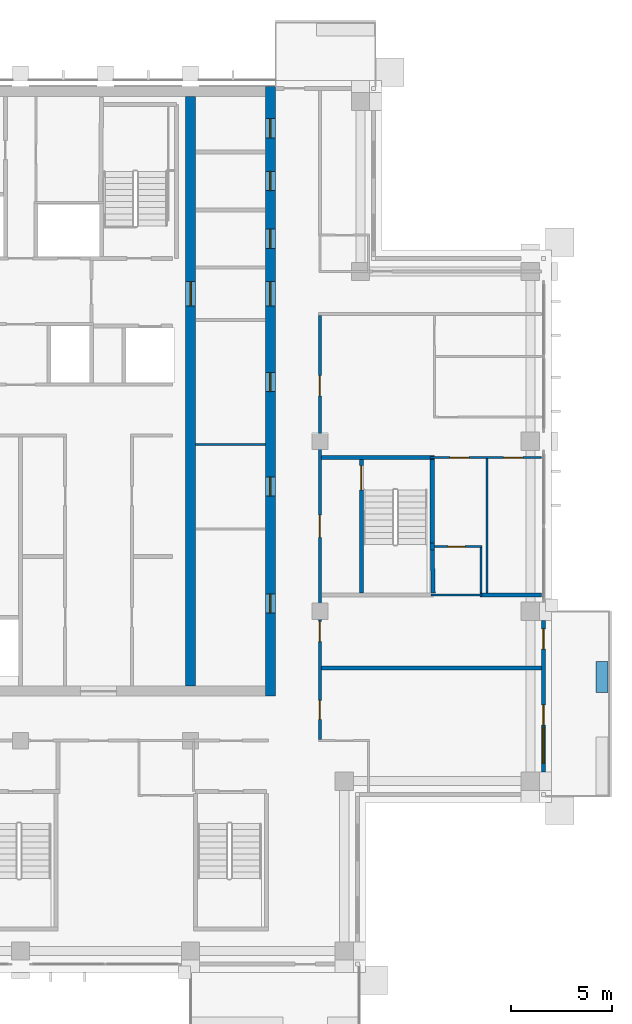
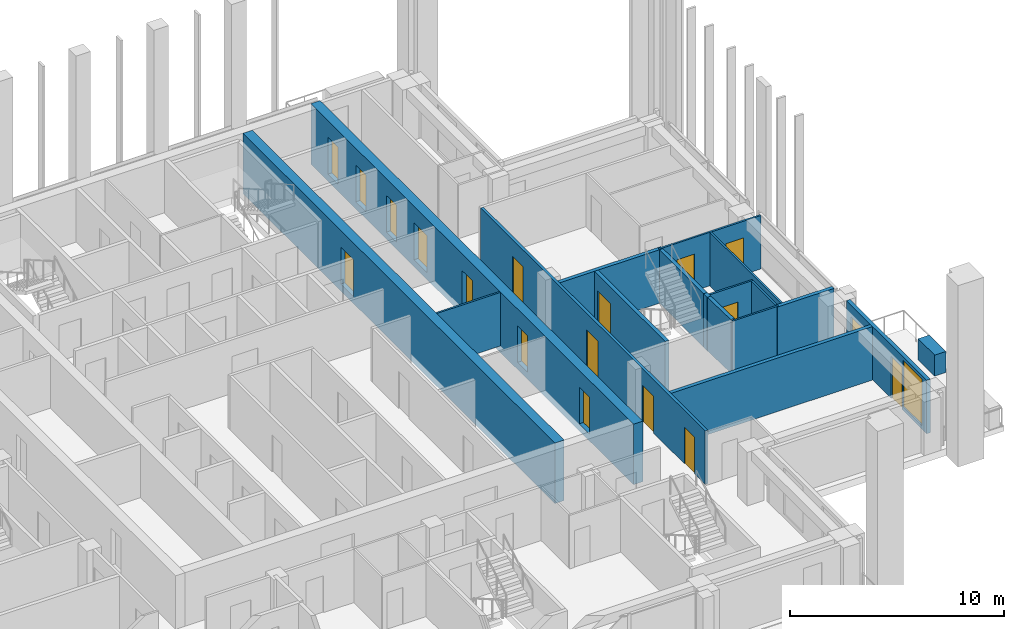
# One storey, part 12 of 20: 18 doors, 18 walls, 1 window, 19 openings.
"""IFC4 building model written with IfcOpenShell, lengths in metres."""

import ifcopenshell
import ifcopenshell.guid

model = None  # the IFC model being written
_history = None  # IfcOwnerHistory: only IFC2X3 demands one
_inside = {}  # id of a spatial element -> (the spatial element, [elements in it])
_under = {}  # id of a project, library or spatial element -> (it, [spatial elements below it])
_declared = {}  # id of a project -> (the project, [libraries it declares])
_typed = {}  # id of a type object -> (the type object, [elements of that type])
_made_of = {}  # id of a material, layer set ... -> (it, [elements and type objects made of it])


def new_model(schema):
    """Start an empty IFC model of exactly this schema.

    Asked for "IFC4X3", IfcOpenShell would pick the latest addendum, in which some entities
    have other attributes; the version numbers below select the first issue.
    IFC2X3 requires an IfcOwnerHistory on every rooted entity: one is made here for all.
    """
    global model, _history
    if schema == "IFC4X3":
        model = ifcopenshell.file(schema_version=(4, 3, 0, 0))
    else:
        model = ifcopenshell.file(schema=schema)
    _inside.clear()
    _under.clear()
    _declared.clear()
    _typed.clear()
    _made_of.clear()
    _history = None
    if model.schema == "IFC2X3":
        org = make("IfcOrganization", Name="unknown")
        user = make(
            "IfcPersonAndOrganization",
            ThePerson=make("IfcPerson", FamilyName="unknown"),
            TheOrganization=org,
        )
        app = make(
            "IfcApplication",
            ApplicationDeveloper=org,
            Version="unknown",
            ApplicationFullName="unknown",
            ApplicationIdentifier="unknown",
        )
        _history = make(
            "IfcOwnerHistory",
            OwningUser=user,
            OwningApplication=app,
            ChangeAction="ADDED",
            CreationDate=0,
        )
    return model


def make(cls, **values):
    """One entity of the class cls with the attributes given. An attribute that is None is left unset."""
    return model.create_entity(
        cls, **{name: value for name, value in values.items() if value is not None}
    )


def rooted(cls, **values):
    """An entity with a GlobalId (a new one), such as an element, a storey or a relation."""
    return make(cls, GlobalId=ifcopenshell.guid.new(), OwnerHistory=_history, **values)


def si_unit(unit_type, name, prefix=None):
    """IfcSIUnit, for example si_unit("LENGTHUNIT", "METRE", prefix="MILLI")."""
    return make("IfcSIUnit", UnitType=unit_type, Prefix=prefix, Name=name)


def assignment(units):
    """IfcUnitAssignment: the units of a project."""
    return None if units is None else make("IfcUnitAssignment", Units=units)


def point(xyz):
    """IfcCartesianPoint."""
    return None if xyz is None else make("IfcCartesianPoint", Coordinates=xyz)


def direction(xyz):
    """IfcDirection."""
    return None if xyz is None else make("IfcDirection", DirectionRatios=xyz)


def frame(location, z_axis=None, x_axis=None):
    """IfcAxis2Placement3D, a coordinate frame: its origin and axes. An axis left out is left unset."""
    return make(
        "IfcAxis2Placement3D",
        Location=point(location),
        Axis=direction(z_axis),
        RefDirection=direction(x_axis),
    )


def frame_2d(location, x_axis=None):
    """IfcAxis2Placement2D, a coordinate frame in the plane: its origin and x axis."""
    return make(
        "IfcAxis2Placement2D", Location=point(location), RefDirection=direction(x_axis)
    )


def origin():
    """The frame at (0, 0, 0) with its axes left unset."""
    return frame((0.0, 0.0, 0.0))


def place(relative_to, where):
    """IfcLocalPlacement: puts the frame where relative to a parent placement (None: the world)."""
    return make(
        "IfcLocalPlacement", PlacementRelTo=relative_to, RelativePlacement=where
    )


def context(
    kind, dimensions, precision=None, world=None, true_north=None, identifier=None
):
    """IfcGeometricRepresentationContext, for example the 3D "Model" context."""
    return make(
        "IfcGeometricRepresentationContext",
        ContextIdentifier=identifier,
        ContextType=kind,
        CoordinateSpaceDimension=dimensions,
        Precision=precision,
        WorldCoordinateSystem=world,
        TrueNorth=true_north,
    )


def subcontext(parent, identifier, kind, view, scale=None):
    """IfcGeometricRepresentationSubContext, for example "Body" below "Model"."""
    return make(
        "IfcGeometricRepresentationSubContext",
        ContextIdentifier=identifier,
        ContextType=kind,
        ParentContext=parent,
        TargetScale=scale,
        TargetView=view,
    )


def project(units=None, contexts=None):
    """IfcProject with its units and contexts."""
    return rooted(
        "IfcProject",
        Name="project",
        RepresentationContexts=contexts,
        UnitsInContext=assignment(units),
    )


def spatial(cls, under=None, at=None, **own):
    """A site, building, storey or space (cls), placed at a placement, below another one or the project."""
    s = rooted(cls, ObjectPlacement=at, **own)
    if under is not None:
        _under.setdefault(under.id(), (under, []))[1].append(s)
    return s


def profile(cls, at=None, kind="AREA", **sizes):
    """A parametric profile (cls). Its sizes go by their IFC names, for example OverallWidth=200.0."""
    return make(cls, ProfileType=kind, Position=at, **sizes)


def rectangle(**sizes):
    """IfcRectangleProfileDef."""
    return profile("IfcRectangleProfileDef", **sizes)


def extrude(swept, where, along, depth):
    """IfcExtrudedAreaSolid: the profile swept, set in the frame where, extruded along a direction by depth."""
    return make(
        "IfcExtrudedAreaSolid",
        SweptArea=swept,
        Position=where,
        ExtrudedDirection=direction(along),
        Depth=depth,
    )


def shape(context_of_items, identifier, shape_type, items):
    """IfcShapeRepresentation: the items that make up one representation, for example the "Body"."""
    return make(
        "IfcShapeRepresentation",
        ContextOfItems=context_of_items,
        RepresentationIdentifier=identifier,
        RepresentationType=shape_type,
        Items=items,
    )


def material(Name=None, Category=None):
    """IfcMaterial."""
    return make("IfcMaterial", Name=Name, Category=Category)


def layer(
    of_material, thickness, ventilated=None, Name=None, Category=None, Priority=None
):
    """IfcMaterialLayer: one layer of a wall or slab, of a material (None: an air gap)."""
    return make(
        "IfcMaterialLayer",
        Material=of_material,
        LayerThickness=thickness,
        IsVentilated=ventilated,
        Name=Name,
        Category=Category,
        Priority=Priority,
    )


def layer_set(layers, Name=None):
    """IfcMaterialLayerSet."""
    return make("IfcMaterialLayerSet", MaterialLayers=layers, LayerSetName=Name)


def made_of(thing, what):
    """Note that an element or type object is made of a material, layer set ...; save() writes the relation."""
    if what is not None:
        _made_of.setdefault(what.id(), (what, []))[1].append(thing)
    return thing


def type_object(cls, material=None, **own):
    """A type object (cls), such as IfcWallType, which elements share."""
    return made_of(rooted(cls, **own), material)


def element(
    cls,
    number,
    at=None,
    inside=None,
    cuts=None,
    type_object=None,
    material=None,
    context=None,
    identifier="Body",
    shape_type=None,
    held_by="IfcProductDefinitionShape",
    body=None,
    shapes=None,
    **own,
):
    """One element of the class cls, such as IfcWall. Its Tag is "e" and its number.

    at: its placement. inside: the storey or other place that contains it. cuts: it is an
    opening in that element (IfcRelVoidsElement). A single representation is given by context,
    identifier, shape_type and body (its items); several are given by shapes. held_by: the class
    of the entity that holds the representations. save() writes the other relations.
    """
    e = rooted(cls, Tag="e%d" % number, ObjectPlacement=at, **own)
    if body is not None:
        shapes = [shape(context, identifier, shape_type, body)]
    if shapes is not None:
        e.Representation = make(held_by, Representations=shapes)
    if inside is not None:
        _inside.setdefault(inside.id(), (inside, []))[1].append(e)
    if cuts is not None:
        rooted(
            "IfcRelVoidsElement", RelatingBuildingElement=cuts, RelatedOpeningElement=e
        )
    if type_object is not None:
        _typed.setdefault(type_object.id(), (type_object, []))[1].append(e)
    return made_of(e, material)


def fill(opening, filler):
    """IfcRelFillsElement: the door or window that sits in an opening."""
    return rooted(
        "IfcRelFillsElement",
        RelatingOpeningElement=opening,
        RelatedBuildingElement=filler,
    )


def aggregate(whole, parts):
    """IfcRelAggregates: a whole, such as a stair, and the parts it consists of."""
    return rooted("IfcRelAggregates", RelatingObject=whole, RelatedObjects=parts)


def save(model, path):
    """Write the relations noted so far, then the file.

    IfcRelAggregates (storeys below a building ...), IfcRelContainedInSpatialStructure (elements
    in a storey), IfcRelDefinesByType, IfcRelAssociatesMaterial and IfcRelDeclares: one each for
    every whole, place, type object, material and project.
    """
    for whole, parts in _under.values():
        aggregate(whole, parts)
    for where, things in _inside.values():
        rooted(
            "IfcRelContainedInSpatialStructure",
            RelatedElements=things,
            RelatingStructure=where,
        )
    for kind, things in _typed.values():
        rooted("IfcRelDefinesByType", RelatedObjects=things, RelatingType=kind)
    for what, things in _made_of.values():
        rooted("IfcRelAssociatesMaterial", RelatedObjects=things, RelatingMaterial=what)
    for by, libraries in _declared.values():
        rooted("IfcRelDeclares", RelatingContext=by, RelatedDefinitions=libraries)
    model.write(path)


model = new_model("IFC4")

# Units and contexts
model_context = context("Model", 3, precision=1e-05, world=origin(), true_north=direction((0.0, 1.0)))
body_context = subcontext(model_context, "Body", "Model", "MODEL_VIEW")
ifc_project = project(units=[si_unit("LENGTHUNIT", "METRE"), si_unit("AREAUNIT", "SQUARE_METRE"), si_unit("VOLUMEUNIT", "CUBIC_METRE"), si_unit("PLANEANGLEUNIT", "RADIAN"), si_unit("MASSUNIT", "GRAM", prefix="KILO")], contexts=[model_context])

# Site, building, storey
site_placement = place(None, origin())
site = spatial("IfcSite", under=ifc_project, at=site_placement, CompositionType="ELEMENT")
building_placement = place(site_placement, origin())
building = spatial("IfcBuilding", under=site, at=building_placement, Name="Vermilion Ogive Tower", CompositionType="ELEMENT")
storey_placement = place(building_placement, frame((0.0, 0.0, 223.449951171875)))
storey = spatial("IfcBuildingStorey", under=building, at=storey_placement, Name="L58", CompositionType="ELEMENT", Elevation=223.449951171875)

# Wall, openings, doors
ifc_material_1 = material(Name="Concrete B60", Category="concrete")
ifc_layer_1 = layer(ifc_material_1, 0.5)
ifc_layer_set_1 = layer_set([ifc_layer_1], Name="Core wall 500 B60")
wall_type_1 = type_object("IfcWallType", Name="Core wall 500 B60", PredefinedType="SHEAR", material=ifc_layer_set_1)
wall_1_placement = place(storey_placement, frame((12.35009765625, -8.39990234375, -0.39990234375), z_axis=(0.0, 0.0, 1.0), x_axis=(0.0, 1.0, 0.0)))
wall_1 = element("IfcWall", 1, at=wall_1_placement, inside=storey, type_object=wall_type_1, Name="L58-CORE-E", PredefinedType="SHEAR", context=body_context, shape_type="SweptSolid", body=[
    extrude(rectangle(XDim=30.14990234375, YDim=0.5, at=frame_2d((15.074951171875, 0.0))), origin(), (0.0, 0.0, 1.0), 3.449951171875),
])
opening_1_placement = place(wall_1_placement, frame((4.112548828125, 0.0, 0.39990234375)))
opening_1 = element("IfcOpeningElement", 2, at=opening_1_placement, cuts=wall_1, Name="Opening DAC100", PredefinedType="OPENING", context=body_context, shape_type="SweptSolid", body=[
    extrude(rectangle(XDim=0.949951171875, YDim=2.10009765625, at=frame_2d((0.47509765625, 1.050048828125))), frame((0.0, 0.260009765625, 0.0), z_axis=(0.0, -1.0, 0.0), x_axis=(1.0, 0.0, 0.0)), (0.0, 0.0, 1.0), 0.52001953125),
])
opening_2_placement = place(wall_1_placement, frame((9.8896484375, 0.0, 0.39990234375)))
opening_2 = element("IfcOpeningElement", 3, at=opening_2_placement, cuts=wall_1, Name="Opening DAC101", PredefinedType="OPENING", context=body_context, shape_type="SweptSolid", body=[
    extrude(rectangle(XDim=0.949951171875, YDim=2.10009765625, at=frame_2d((0.47509765625, 1.050048828125))), frame((0.0, 0.260009765625, 0.0), z_axis=(0.0, -1.0, 0.0), x_axis=(1.0, 0.0, 0.0)), (0.0, 0.0, 1.0), 0.52001953125),
])
opening_3_placement = place(wall_1_placement, frame((15.052001953125, 0.0, 0.39990234375)))
opening_3 = element("IfcOpeningElement", 4, at=opening_3_placement, cuts=wall_1, Name="Opening DAC102", PredefinedType="OPENING", context=body_context, shape_type="SweptSolid", body=[
    extrude(rectangle(XDim=0.949951171875, YDim=2.10009765625, at=frame_2d((0.47509765625, 1.050048828125))), frame((0.0, 0.260009765625, 0.0), z_axis=(0.0, -1.0, 0.0), x_axis=(1.0, 0.0, 0.0)), (0.0, 0.0, 1.0), 0.52001953125),
])
opening_4_placement = place(wall_1_placement, frame((22.1435546875, 0.0, 0.39990234375)))
opening_4 = element("IfcOpeningElement", 5, at=opening_4_placement, cuts=wall_1, Name="Opening DAC103", PredefinedType="OPENING", context=body_context, shape_type="SweptSolid", body=[
    extrude(rectangle(XDim=0.949951171875, YDim=2.10009765625, at=frame_2d((0.47509765625, 1.050048828125))), frame((0.0, 0.260009765625, 0.0), z_axis=(0.0, -1.0, 0.0), x_axis=(1.0, 0.0, 0.0)), (0.0, 0.0, 1.0), 0.52001953125),
])
opening_5_placement = place(wall_1_placement, frame((24.998291015625, 0.0, 0.39990234375)))
opening_5 = element("IfcOpeningElement", 6, at=opening_5_placement, cuts=wall_1, Name="Opening DAC104", PredefinedType="OPENING", context=body_context, shape_type="SweptSolid", body=[
    extrude(rectangle(XDim=0.949951171875, YDim=2.10009765625, at=frame_2d((0.47509765625, 1.050048828125))), frame((0.0, 0.260009765625, 0.0), z_axis=(0.0, -1.0, 0.0), x_axis=(1.0, 0.0, 0.0)), (0.0, 0.0, 1.0), 0.52001953125),
])
opening_6_placement = place(wall_1_placement, frame((27.604736328125, 0.0, 0.39990234375)))
opening_6 = element("IfcOpeningElement", 7, at=opening_6_placement, cuts=wall_1, Name="Opening DAC105", PredefinedType="OPENING", context=body_context, shape_type="SweptSolid", body=[
    extrude(rectangle(XDim=0.949951171875, YDim=2.10009765625, at=frame_2d((0.47509765625, 1.050048828125))), frame((0.0, 0.260009765625, 0.0), z_axis=(0.0, -1.0, 0.0), x_axis=(1.0, 0.0, 0.0)), (0.0, 0.0, 1.0), 0.52001953125),
])
opening_7_placement = place(wall_1_placement, frame((19.300048828125, 0.0, 0.39990234375)))
opening_7 = element("IfcOpeningElement", 8, at=opening_7_placement, cuts=wall_1, Name="Opening DAL024", PredefinedType="OPENING", context=body_context, shape_type="SweptSolid", body=[
    extrude(rectangle(XDim=1.199951171875, YDim=2.10009765625, at=frame_2d((0.60009765625, 1.050048828125))), frame((0.0, 0.260009765625, 0.0), z_axis=(0.0, -1.0, 0.0), x_axis=(1.0, 0.0, 0.0)), (0.0, 0.0, 1.0), 0.52001953125),
])
ifc_material_2 = material(Name="Timber door leaf", Category="wood")
door_type_1 = type_object("IfcDoorType", Name="Link door 1200 x 2100 FD60S", OperationType="SINGLE_SWING_LEFT", PredefinedType="DOOR", material=ifc_material_2)
door_1_placement = place(opening_7_placement, origin())
door_1 = element("IfcDoor", 9, at=door_1_placement, inside=storey, type_object=door_type_1, Name="L58-CKE-XL", OperationType="SINGLE_SWING_LEFT", OverallHeight=2.10009765625, OverallWidth=1.199951171875, PredefinedType="DOOR", context=body_context, shape_type="SweptSolid", body=[
    extrude(rectangle(XDim=1.199951171875, YDim=2.10009765625, at=frame_2d((0.60009765625, 1.050048828125))), frame((0.0, 0.02490234375, 0.0), z_axis=(0.0, -1.0, 0.0), x_axis=(1.0, 0.0, 0.0)), (0.0, 0.0, 1.0), 0.050048828125),
])
fill(opening_7, door_1)
ifc_material_3 = material(Name="Timber door leaf", Category="wood")
door_type_2 = type_object("IfcDoorType", Name="Service door 950 x 2100 FD60", OperationType="SINGLE_SWING_LEFT", PredefinedType="DOOR", material=ifc_material_3)
door_2_placement = place(opening_1_placement, origin())
door_2 = element("IfcDoor", 10, at=door_2_placement, inside=storey, type_object=door_type_2, Name="L58-CKE-XR0", OperationType="SINGLE_SWING_LEFT", OverallHeight=2.10009765625, OverallWidth=0.949951171875, PredefinedType="DOOR", context=body_context, shape_type="SweptSolid", body=[
    extrude(rectangle(XDim=0.949951171875, YDim=2.10009765625, at=frame_2d((0.47509765625, 1.050048828125))), frame((0.0, 0.02490234375, 0.0), z_axis=(0.0, -1.0, 0.0), x_axis=(1.0, 0.0, 0.0)), (0.0, 0.0, 1.0), 0.050048828125),
])
fill(opening_1, door_2)
door_3_placement = place(opening_2_placement, origin())
door_3 = element("IfcDoor", 11, at=door_3_placement, inside=storey, type_object=door_type_2, Name="L58-CKE-XR1", OperationType="SINGLE_SWING_LEFT", OverallHeight=2.10009765625, OverallWidth=0.949951171875, PredefinedType="DOOR", context=body_context, shape_type="SweptSolid", body=[
    extrude(rectangle(XDim=0.949951171875, YDim=2.10009765625, at=frame_2d((0.47509765625, 1.050048828125))), frame((0.0, 0.02490234375, 0.0), z_axis=(0.0, -1.0, 0.0), x_axis=(1.0, 0.0, 0.0)), (0.0, 0.0, 1.0), 0.050048828125),
])
fill(opening_2, door_3)
door_4_placement = place(opening_3_placement, origin())
door_4 = element("IfcDoor", 12, at=door_4_placement, inside=storey, type_object=door_type_2, Name="L58-CKE-XR2", OperationType="SINGLE_SWING_LEFT", OverallHeight=2.10009765625, OverallWidth=0.949951171875, PredefinedType="DOOR", context=body_context, shape_type="SweptSolid", body=[
    extrude(rectangle(XDim=0.949951171875, YDim=2.10009765625, at=frame_2d((0.47509765625, 1.050048828125))), frame((0.0, 0.02490234375, 0.0), z_axis=(0.0, -1.0, 0.0), x_axis=(1.0, 0.0, 0.0)), (0.0, 0.0, 1.0), 0.050048828125),
])
fill(opening_3, door_4)
door_5_placement = place(opening_4_placement, origin())
door_5 = element("IfcDoor", 13, at=door_5_placement, inside=storey, type_object=door_type_2, Name="L58-CKE-XR3", OperationType="SINGLE_SWING_LEFT", OverallHeight=2.10009765625, OverallWidth=0.949951171875, PredefinedType="DOOR", context=body_context, shape_type="SweptSolid", body=[
    extrude(rectangle(XDim=0.949951171875, YDim=2.10009765625, at=frame_2d((0.47509765625, 1.050048828125))), frame((0.0, 0.02490234375, 0.0), z_axis=(0.0, -1.0, 0.0), x_axis=(1.0, 0.0, 0.0)), (0.0, 0.0, 1.0), 0.050048828125),
])
fill(opening_4, door_5)
door_6_placement = place(opening_5_placement, origin())
door_6 = element("IfcDoor", 14, at=door_6_placement, inside=storey, type_object=door_type_2, Name="L58-CKE-XR4", OperationType="SINGLE_SWING_LEFT", OverallHeight=2.10009765625, OverallWidth=0.949951171875, PredefinedType="DOOR", context=body_context, shape_type="SweptSolid", body=[
    extrude(rectangle(XDim=0.949951171875, YDim=2.10009765625, at=frame_2d((0.47509765625, 1.050048828125))), frame((0.0, 0.02490234375, 0.0), z_axis=(0.0, -1.0, 0.0), x_axis=(1.0, 0.0, 0.0)), (0.0, 0.0, 1.0), 0.050048828125),
])
fill(opening_5, door_6)
door_7_placement = place(opening_6_placement, origin())
door_7 = element("IfcDoor", 15, at=door_7_placement, inside=storey, type_object=door_type_2, Name="L58-CKE-XR5", OperationType="SINGLE_SWING_LEFT", OverallHeight=2.10009765625, OverallWidth=0.949951171875, PredefinedType="DOOR", context=body_context, shape_type="SweptSolid", body=[
    extrude(rectangle(XDim=0.949951171875, YDim=2.10009765625, at=frame_2d((0.47509765625, 1.050048828125))), frame((0.0, 0.02490234375, 0.0), z_axis=(0.0, -1.0, 0.0), x_axis=(1.0, 0.0, 0.0)), (0.0, 0.0, 1.0), 0.050048828125),
])
fill(opening_6, door_7)

# Wall, opening, door
wall_2_placement = place(storey_placement, frame((8.39990234375, -7.89990234375, -0.39990234375), z_axis=(0.0, 0.0, 1.0), x_axis=(0.0, 1.0, 0.0)))
wall_2 = element("IfcWall", 16, at=wall_2_placement, inside=storey, type_object=wall_type_1, Name="L58-CORE-WEB2", PredefinedType="SHEAR", context=body_context, shape_type="SweptSolid", body=[
    extrude(rectangle(XDim=29.14990234375, YDim=0.5, at=frame_2d((14.574951171875, 0.0))), origin(), (0.0, 0.0, 1.0), 3.449951171875),
])
opening_8_placement = place(wall_2_placement, frame((18.800048828125, 0.0, 0.39990234375)))
opening_8 = element("IfcOpeningElement", 17, at=opening_8_placement, cuts=wall_2, Name="Opening DAO019", PredefinedType="OPENING", context=body_context, shape_type="SweptSolid", body=[
    extrude(rectangle(XDim=1.199951171875, YDim=2.10009765625, at=frame_2d((0.60009765625, 1.050048828125))), frame((0.0, 0.260009765625, 0.0), z_axis=(0.0, -1.0, 0.0), x_axis=(1.0, 0.0, 0.0)), (0.0, 0.0, 1.0), 0.52001953125),
])
door_8_placement = place(opening_8_placement, origin())
door_8 = element("IfcDoor", 18, at=door_8_placement, inside=storey, type_object=door_type_1, Name="L58-CKE-XW", OperationType="SINGLE_SWING_LEFT", OverallHeight=2.10009765625, OverallWidth=1.199951171875, PredefinedType="DOOR", context=body_context, shape_type="SweptSolid", body=[
    extrude(rectangle(XDim=1.199951171875, YDim=2.10009765625, at=frame_2d((0.60009765625, 1.050048828125))), frame((0.0, 0.02490234375, 0.0), z_axis=(0.0, -1.0, 0.0), x_axis=(1.0, 0.0, 0.0)), (0.0, 0.0, 1.0), 0.050048828125),
])
fill(opening_8, door_8)

# Wall
ifc_material_4 = material(Name="Gypsum board partition on steel studs", Category="steel")
ifc_layer_2 = layer(ifc_material_4, 0.10009765625)
ifc_layer_set_2 = layer_set([ifc_layer_2], Name="Partition 100 bath")
wall_type_2 = type_object("IfcWallType", Name="Partition 100 bath", PredefinedType="PARTITIONING", material=ifc_layer_set_2)
wall_3_placement = place(storey_placement, frame((20.300048828125, -3.39990234375, 0.0), z_axis=(0.0, 0.0, 1.0), x_axis=(1.0, 0.0, 0.0)))
element("IfcWall", 19, at=wall_3_placement, inside=storey, type_object=wall_type_2, Name="L58-W-W019", PredefinedType="PARTITIONING", context=body_context, shape_type="SweptSolid", body=[
    extrude(rectangle(XDim=2.5, YDim=0.10009765625, at=frame_2d((1.25, 0.0))), origin(), (0.0, 0.0, 1.0), 3.050048828125),
])

# Wall, opening, door
wall_4_placement = place(storey_placement, frame((20.449951171875, -1.0, 0.0), z_axis=(0.0, 0.0, 1.0), x_axis=(1.0, 0.0, 0.0)))
wall_4 = element("IfcWall", 20, at=wall_4_placement, inside=storey, type_object=wall_type_2, Name="L58-W-W021", PredefinedType="PARTITIONING", context=body_context, shape_type="SweptSolid", body=[
    extrude(rectangle(XDim=2.35009765625, YDim=0.10009765625, at=frame_2d((1.175048828125, 0.0))), origin(), (0.0, 0.0, 1.0), 3.050048828125),
])
opening_9_placement = place(wall_4_placement, frame((0.675048828125, 0.0, 0.0)))
opening_9 = element("IfcOpeningElement", 21, at=opening_9_placement, cuts=wall_4, Name="Opening D5G1020", PredefinedType="OPENING", context=body_context, shape_type="SweptSolid", body=[
    extrude(rectangle(XDim=0.85009765625, YDim=2.10009765625, at=frame_2d((0.425048828125, 1.050048828125))), frame((0.0, 0.06005859375, 0.0), z_axis=(0.0, -1.0, 0.0), x_axis=(1.0, 0.0, 0.0)), (0.0, 0.0, 1.0), 0.1201171875),
])
ifc_material_5 = material(Name="Timber door leaf", Category="wood")
door_type_3 = type_object("IfcDoorType", Name="Bath door 850 x 2100 FD30", OperationType="SINGLE_SWING_LEFT", PredefinedType="DOOR", material=ifc_material_5)
door_9_placement = place(opening_9_placement, origin())
door_9 = element("IfcDoor", 22, at=door_9_placement, inside=storey, type_object=door_type_3, Name="L58-D-D020", OperationType="SINGLE_SWING_RIGHT", OverallHeight=2.10009765625, OverallWidth=0.85009765625, PredefinedType="DOOR", context=body_context, shape_type="SweptSolid", body=[
    extrude(rectangle(XDim=0.85009765625, YDim=2.10009765625, at=frame_2d((0.425048828125, 1.050048828125))), frame((0.0, 0.02490234375, 0.0), z_axis=(0.0, -1.0, 0.0), x_axis=(1.0, 0.0, 0.0)), (0.0, 0.0, 1.0), 0.050048828125),
])
fill(opening_9, door_9)

# Walls
wall_5_placement = place(storey_placement, frame((22.75, -3.300048828125, 0.0), z_axis=(0.0, 0.0, 1.0), x_axis=(0.0, 1.0, 0.0)))
element("IfcWall", 23, at=wall_5_placement, inside=storey, type_object=wall_type_2, Name="L58-W-W066", PredefinedType="PARTITIONING", context=body_context, shape_type="SweptSolid", body=[
    extrude(rectangle(XDim=2.25, YDim=0.10009765625, at=frame_2d((1.125, 0.0))), origin(), (0.0, 0.0, 1.0), 3.050048828125),
])
wall_6_placement = place(storey_placement, frame((8.65087890625, 4.053955078125, 0.0), z_axis=(0.0, 0.0, 1.0), x_axis=(1.0, 0.0, 0.0)))
element("IfcWall", 24, at=wall_6_placement, inside=storey, type_object=wall_type_2, Name="L58-CKE-W-W002", PredefinedType="PARTITIONING", context=body_context, shape_type="SweptSolid", body=[
    extrude(rectangle(XDim=3.4482421875, YDim=0.10009765625, at=frame_2d((1.72412109375, 0.0))), origin(), (0.0, 0.0, 1.0), 3.050048828125),
])

# Wall, openings, doors
ifc_material_6 = material(Name="Gypsum board partition on steel studs", Category="steel")
ifc_layer_3 = layer(ifc_material_6, 0.10009765625)
ifc_layer_set_3 = layer_set([ifc_layer_3], Name="Partition 100 inner")
wall_type_3 = type_object("IfcWallType", Name="Partition 100 inner", PredefinedType="PARTITIONING", material=ifc_layer_set_3)
wall_7_placement = place(storey_placement, frame((20.25, 3.39990234375, 0.0), z_axis=(0.0, 0.0, 1.0), x_axis=(1.0, 0.0, 0.0)))
wall_7 = element("IfcWall", 25, at=wall_7_placement, inside=storey, type_object=wall_type_3, Name="L58-W-W026", PredefinedType="PARTITIONING", context=body_context, shape_type="SweptSolid", body=[
    extrude(rectangle(XDim=5.5, YDim=0.10009765625, at=frame_2d((2.75, 0.0))), origin(), (0.0, 0.0, 1.0), 3.050048828125),
])
opening_10_placement = place(wall_7_placement, frame((3.625, 0.0, 0.0)))
opening_10 = element("IfcOpeningElement", 26, at=opening_10_placement, cuts=wall_7, Name="Opening D5G1015", PredefinedType="OPENING", context=body_context, shape_type="SweptSolid", body=[
    extrude(rectangle(XDim=0.949951171875, YDim=2.10009765625, at=frame_2d((0.47509765625, 1.050048828125))), frame((0.0, 0.06005859375, 0.0), z_axis=(0.0, -1.0, 0.0), x_axis=(1.0, 0.0, 0.0)), (0.0, 0.0, 1.0), 0.1201171875),
])
opening_11_placement = place(wall_7_placement, frame((0.97509765625, 0.0, 0.0)))
opening_11 = element("IfcOpeningElement", 27, at=opening_11_placement, cuts=wall_7, Name="Opening D5G1019", PredefinedType="OPENING", context=body_context, shape_type="SweptSolid", body=[
    extrude(rectangle(XDim=0.949951171875, YDim=2.10009765625, at=frame_2d((0.47509765625, 1.050048828125))), frame((0.0, 0.06005859375, 0.0), z_axis=(0.0, -1.0, 0.0), x_axis=(1.0, 0.0, 0.0)), (0.0, 0.0, 1.0), 0.1201171875),
])
ifc_material_7 = material(Name="Timber door leaf", Category="wood")
door_type_4 = type_object("IfcDoorType", Name="Inner door 950 x 2100 FD30", OperationType="SINGLE_SWING_LEFT", PredefinedType="DOOR", material=ifc_material_7)
door_10_placement = place(opening_10_placement, origin())
door_10 = element("IfcDoor", 28, at=door_10_placement, inside=storey, type_object=door_type_4, Name="L58-D-D015", OperationType="SINGLE_SWING_LEFT", OverallHeight=2.10009765625, OverallWidth=0.949951171875, PredefinedType="DOOR", context=body_context, shape_type="SweptSolid", body=[
    extrude(rectangle(XDim=0.949951171875, YDim=2.10009765625, at=frame_2d((0.47509765625, 1.050048828125))), frame((0.0, 0.02490234375, 0.0), z_axis=(0.0, -1.0, 0.0), x_axis=(1.0, 0.0, 0.0)), (0.0, 0.0, 1.0), 0.050048828125),
])
fill(opening_10, door_10)
door_11_placement = place(opening_11_placement, origin())
door_11 = element("IfcDoor", 29, at=door_11_placement, inside=storey, type_object=door_type_4, Name="L58-D-D019", OperationType="SINGLE_SWING_RIGHT", OverallHeight=2.10009765625, OverallWidth=0.949951171875, PredefinedType="DOOR", context=body_context, shape_type="SweptSolid", body=[
    extrude(rectangle(XDim=0.949951171875, YDim=2.10009765625, at=frame_2d((0.47509765625, 1.050048828125))), frame((0.0, 0.02490234375, 0.0), z_axis=(0.0, -1.0, 0.0), x_axis=(1.0, 0.0, 0.0)), (0.0, 0.0, 1.0), 0.050048828125),
])
fill(opening_11, door_11)

# Wall
wall_8_placement = place(storey_placement, frame((23.050048828125, -3.300048828125, 0.0), z_axis=(0.0, 0.0, 1.0), x_axis=(0.0, 1.0, 0.0)))
element("IfcWall", 30, at=wall_8_placement, inside=storey, type_object=wall_type_3, Name="L58-W-W067", PredefinedType="PARTITIONING", context=body_context, shape_type="SweptSolid", body=[
    extrude(rectangle(XDim=6.650146484375, YDim=0.10009765625, at=frame_2d((3.3251953125, 0.0))), origin(), (0.0, 0.0, 1.0), 3.050048828125),
])

# Wall, openings, doors
ifc_material_8 = material(Name="Gypsum board partition on steel studs", Category="steel")
ifc_layer_4 = layer(ifc_material_8, 0.14990234375)
ifc_layer_set_4 = layer_set([ifc_layer_4], Name="Partition 150 corridor")
wall_type_4 = type_object("IfcWallType", Name="Partition 150 corridor", PredefinedType="PARTITIONING", material=ifc_layer_set_4)
wall_9_placement = place(storey_placement, frame((14.800048828125, -10.550048828125, 0.0), z_axis=(0.0, 0.0, 1.0), x_axis=(0.0, 1.0, 0.0)))
wall_9 = element("IfcWall", 31, at=wall_9_placement, inside=storey, type_object=wall_type_4, Name="L58-W-W057", PredefinedType="PARTITIONING", context=body_context, shape_type="SweptSolid", body=[
    extrude(rectangle(XDim=20.97509765625, YDim=0.14990234375, at=frame_2d((10.487548828125, 0.0))), origin(), (0.0, 0.0, 1.0), 3.050048828125),
])
opening_12_placement = place(wall_9_placement, frame((1.0, 0.0, 0.0)))
opening_12 = element("IfcOpeningElement", 32, at=opening_12_placement, cuts=wall_9, Name="Opening D5G1013", PredefinedType="OPENING", context=body_context, shape_type="SweptSolid", body=[
    extrude(rectangle(XDim=0.949951171875, YDim=2.10009765625, at=frame_2d((0.47509765625, 1.050048828125))), frame((0.0, 0.0849609375, 0.0), z_axis=(0.0, -1.0, 0.0), x_axis=(1.0, 0.0, 0.0)), (0.0, 0.0, 1.0), 0.169921875),
])
opening_13_placement = place(wall_9_placement, frame((17.0, 0.0, 0.0)))
opening_13 = element("IfcOpeningElement", 33, at=opening_13_placement, cuts=wall_9, Name="Opening D5G1018", PredefinedType="OPENING", context=body_context, shape_type="SweptSolid", body=[
    extrude(rectangle(XDim=1.0, YDim=2.10009765625, at=frame_2d((0.5, 1.050048828125))), frame((0.0, 0.0849609375, 0.0), z_axis=(0.0, -1.0, 0.0), x_axis=(1.0, 0.0, 0.0)), (0.0, 0.0, 1.0), 0.169921875),
])
opening_14_placement = place(wall_9_placement, frame((10.0, 0.0, 0.0)))
opening_14 = element("IfcOpeningElement", 34, at=opening_14_placement, cuts=wall_9, Name="Opening D5G1029", PredefinedType="OPENING", context=body_context, shape_type="SweptSolid", body=[
    extrude(rectangle(XDim=1.10009765625, YDim=2.10009765625, at=frame_2d((0.550048828125, 1.050048828125))), frame((0.0, 0.0849609375, 0.0), z_axis=(0.0, -1.0, 0.0), x_axis=(1.0, 0.0, 0.0)), (0.0, 0.0, 1.0), 0.169921875),
])
opening_15_placement = place(wall_9_placement, frame((4.85009765625, 0.0, 0.0)))
opening_15 = element("IfcOpeningElement", 35, at=opening_15_placement, cuts=wall_9, Name="Opening D5G1034", PredefinedType="OPENING", context=body_context, shape_type="SweptSolid", body=[
    extrude(rectangle(XDim=1.0, YDim=2.10009765625, at=frame_2d((0.5, 1.050048828125))), frame((0.0, 0.0849609375, 0.0), z_axis=(0.0, -1.0, 0.0), x_axis=(1.0, 0.0, 0.0)), (0.0, 0.0, 1.0), 0.169921875),
])
ifc_material_9 = material(Name="Timber door leaf", Category="wood")
door_type_5 = type_object("IfcDoorType", Name="Stair door 1100 x 2100 FD60S", OperationType="SINGLE_SWING_LEFT", PredefinedType="DOOR", material=ifc_material_9)
door_12_placement = place(opening_14_placement, origin())
door_12 = element("IfcDoor", 36, at=door_12_placement, inside=storey, type_object=door_type_5, Name="L58-D-D029", OperationType="SINGLE_SWING_LEFT", OverallHeight=2.10009765625, OverallWidth=1.10009765625, PredefinedType="DOOR", context=body_context, shape_type="SweptSolid", body=[
    extrude(rectangle(XDim=1.10009765625, YDim=2.10009765625, at=frame_2d((0.550048828125, 1.050048828125))), frame((0.0, 0.02490234375, 0.0), z_axis=(0.0, -1.0, 0.0), x_axis=(1.0, 0.0, 0.0)), (0.0, 0.0, 1.0), 0.050048828125),
])
fill(opening_14, door_12)
ifc_material_10 = material(Name="Timber door leaf", Category="wood")
door_type_6 = type_object("IfcDoorType", Name="Unit door 1000 x 2100 FD30S", OperationType="SINGLE_SWING_LEFT", PredefinedType="DOOR", material=ifc_material_10)
door_13_placement = place(opening_13_placement, origin())
door_13 = element("IfcDoor", 37, at=door_13_placement, inside=storey, type_object=door_type_6, Name="L58-D-D018", OperationType="SINGLE_SWING_RIGHT", OverallHeight=2.10009765625, OverallWidth=1.0, PredefinedType="DOOR", context=body_context, shape_type="SweptSolid", body=[
    extrude(rectangle(XDim=1.0, YDim=2.10009765625, at=frame_2d((0.5, 1.050048828125))), frame((0.0, 0.02490234375, 0.0), z_axis=(0.0, -1.0, 0.0), x_axis=(1.0, 0.0, 0.0)), (0.0, 0.0, 1.0), 0.050048828125),
])
fill(opening_13, door_13)
door_14_placement = place(opening_15_placement, origin())
door_14 = element("IfcDoor", 38, at=door_14_placement, inside=storey, type_object=door_type_6, Name="L58-D-D034", OperationType="SINGLE_SWING_LEFT", OverallHeight=2.10009765625, OverallWidth=1.0, PredefinedType="DOOR", context=body_context, shape_type="SweptSolid", body=[
    extrude(rectangle(XDim=1.0, YDim=2.10009765625, at=frame_2d((0.5, 1.050048828125))), frame((0.0, 0.02490234375, 0.0), z_axis=(0.0, -1.0, 0.0), x_axis=(1.0, 0.0, 0.0)), (0.0, 0.0, 1.0), 0.050048828125),
])
fill(opening_15, door_14)
ifc_material_11 = material(Name="Timber door leaf", Category="wood")
door_type_7 = type_object("IfcDoorType", Name="Unit door 950 x 2100 FD30S", OperationType="SINGLE_SWING_LEFT", PredefinedType="DOOR", material=ifc_material_11)
door_15_placement = place(opening_12_placement, origin())
door_15 = element("IfcDoor", 39, at=door_15_placement, inside=storey, type_object=door_type_7, Name="L58-D-D013", OperationType="SINGLE_SWING_RIGHT", OverallHeight=2.10009765625, OverallWidth=0.949951171875, PredefinedType="DOOR", context=body_context, shape_type="SweptSolid", body=[
    extrude(rectangle(XDim=0.949951171875, YDim=2.10009765625, at=frame_2d((0.47509765625, 1.050048828125))), frame((0.0, 0.02490234375, 0.0), z_axis=(0.0, -1.0, 0.0), x_axis=(1.0, 0.0, 0.0)), (0.0, 0.0, 1.0), 0.050048828125),
])
fill(opening_12, door_15)

# Walls
ifc_material_12 = material(Name="Gypsum board partition on steel studs", Category="steel")
ifc_layer_5 = layer(ifc_material_12, 0.199951171875)
ifc_layer_set_5 = layer_set([ifc_layer_5], Name="Partition 200 party")
wall_type_5 = type_object("IfcWallType", Name="Partition 200 party", PredefinedType="PARTITIONING", material=ifc_layer_set_5)
wall_10_placement = place(storey_placement, frame((14.875, -7.0, 0.0), z_axis=(0.0, 0.0, 1.0), x_axis=(1.0, 0.0, 0.0)))
element("IfcWall", 40, at=wall_10_placement, inside=storey, type_object=wall_type_5, Name="L58-W-W015", PredefinedType="PARTITIONING", context=body_context, shape_type="SweptSolid", body=[
    extrude(rectangle(XDim=10.875, YDim=0.199951171875, at=frame_2d((5.4375, 0.0))), origin(), (0.0, 0.0, 1.0), 3.050048828125),
])
wall_11_placement = place(storey_placement, frame((22.699951171875, -3.39990234375, 0.0), z_axis=(0.0, 0.0, 1.0), x_axis=(1.0, 0.0, 0.0)))
element("IfcWall", 41, at=wall_11_placement, inside=storey, type_object=wall_type_5, Name="L58-W-W020", PredefinedType="PARTITIONING", context=body_context, shape_type="SweptSolid", body=[
    extrude(rectangle(XDim=3.050048828125, YDim=0.199951171875, at=frame_2d((1.52490234375, 0.0))), origin(), (0.0, 0.0, 1.0), 3.050048828125),
])
ifc_material_13 = material(Name="Concrete B60", Category="concrete")
ifc_layer_6 = layer(ifc_material_13, 0.199951171875)
ifc_layer_set_6 = layer_set([ifc_layer_6], Name="Stair shaft wall 200 Concrete B60")
wall_type_6 = type_object("IfcWallType", Name="Stair shaft wall 200 Concrete B60", PredefinedType="SOLIDWALL", material=ifc_layer_set_6)
wall_12_placement = place(storey_placement, frame((14.875, 3.39990234375, 0.0), z_axis=(0.0, 0.0, 1.0), x_axis=(1.0, 0.0, 0.0)))
element("IfcWall", 42, at=wall_12_placement, inside=storey, type_object=wall_type_6, Name="L58-W-W025", PredefinedType="SOLIDWALL", context=body_context, shape_type="SweptSolid", body=[
    extrude(rectangle(XDim=5.574951171875, YDim=0.199951171875, at=frame_2d((2.78759765625, 0.0))), origin(), (0.0, 0.0, 1.0), 3.050048828125),
])

# Wall, opening, door
wall_13_placement = place(storey_placement, frame((16.85009765625, -3.300048828125, 0.0), z_axis=(0.0, 0.0, 1.0), x_axis=(0.0, 1.0, 0.0)))
wall_13 = element("IfcWall", 43, at=wall_13_placement, inside=storey, type_object=wall_type_6, Name="L58-W-W060", PredefinedType="SOLIDWALL", context=body_context, shape_type="SweptSolid", body=[
    extrude(rectangle(XDim=6.60009765625, YDim=0.199951171875, at=frame_2d((3.300048828125, 0.0))), origin(), (0.0, 0.0, 1.0), 3.050048828125),
])
opening_16_placement = place(wall_13_placement, frame((5.10009765625, 0.0, 0.0)))
opening_16 = element("IfcOpeningElement", 44, at=opening_16_placement, cuts=wall_13, Name="Opening D5G1030", PredefinedType="OPENING", context=body_context, shape_type="SweptSolid", body=[
    extrude(rectangle(XDim=1.199951171875, YDim=2.10009765625, at=frame_2d((0.60009765625, 1.050048828125))), frame((0.0, 0.10986328125, 0.0), z_axis=(0.0, -1.0, 0.0), x_axis=(1.0, 0.0, 0.0)), (0.0, 0.0, 1.0), 0.219970703125),
])
ifc_material_14 = material(Name="Timber door leaf", Category="wood")
door_type_8 = type_object("IfcDoorType", Name="Stair door 1200 x 2100 FD60S", OperationType="SINGLE_SWING_LEFT", PredefinedType="DOOR", material=ifc_material_14)
door_16_placement = place(opening_16_placement, origin())
door_16 = element("IfcDoor", 45, at=door_16_placement, inside=storey, type_object=door_type_8, Name="L58-D-D030", OperationType="SINGLE_SWING_LEFT", OverallHeight=2.10009765625, OverallWidth=1.199951171875, PredefinedType="DOOR", context=body_context, shape_type="SweptSolid", body=[
    extrude(rectangle(XDim=1.199951171875, YDim=2.10009765625, at=frame_2d((0.60009765625, 1.050048828125))), frame((0.0, 0.02490234375, 0.0), z_axis=(0.0, -1.0, 0.0), x_axis=(1.0, 0.0, 0.0)), (0.0, 0.0, 1.0), 0.050048828125),
])
fill(opening_16, door_16)

# Walls
wall_14_placement = place(storey_placement, frame((20.400146484375, -3.300048828125, 0.0), z_axis=(0.0, 0.0, 1.0), x_axis=(-0.021771342749, 0.999762976227, 0.0)))
element("IfcWall", 46, at=wall_14_placement, inside=storey, type_object=wall_type_6, Name="L58-W-W063", PredefinedType="SOLIDWALL", context=body_context, shape_type="SweptSolid", body=[
    extrude(rectangle(XDim=2.130615234375, YDim=0.199951171875, at=frame_2d((1.0654296875, 0.0))), origin(), (0.0, 0.0, 1.0), 3.050048828125),
])
wall_15_placement = place(storey_placement, frame((20.35009765625, -0.830078125, 0.0), z_axis=(0.0, 0.0, 1.0), x_axis=(0.0, 1.0, 0.0)))
element("IfcWall", 47, at=wall_15_placement, inside=storey, type_object=wall_type_6, Name="L58-W-W064", PredefinedType="SOLIDWALL", context=body_context, shape_type="SweptSolid", body=[
    extrude(rectangle(XDim=4.130126953125, YDim=0.199951171875, at=frame_2d((2.06494140625, 0.0))), origin(), (0.0, 0.0, 1.0), 3.050048828125),
])
wall_16_placement = place(storey_placement, frame((20.35009765625, -1.169921875, 0.0), z_axis=(0.0, 0.0, 1.0), x_axis=(0.0, 1.0, 0.0)))
element("IfcWall", 48, at=wall_16_placement, inside=storey, type_object=wall_type_6, Name="L58-SW-ST8-E1", PredefinedType="SOLIDWALL", context=body_context, shape_type="SweptSolid", body=[
    extrude(rectangle(XDim=0.33984375, YDim=0.199951171875, at=frame_2d((0.169921875, 0.0))), origin(), (0.0, 0.0, 1.0), 3.050048828125),
])
ifc_material_15 = material(Name="Concrete B40", Category="concrete")
ifc_layer_7 = layer(ifc_material_15, 0.60009765625)
ifc_layer_set_7 = layer_set([ifc_layer_7], Name="Structural planter")
wall_type_7 = type_object("IfcWallType", Name="Structural planter", PredefinedType="USERDEFINED", material=ifc_layer_set_7)
wall_17_placement = place(storey_placement, frame((28.75, -8.22509765625, -0.0400390625), z_axis=(0.0, 0.0, 1.0), x_axis=(0.0, 1.0, 0.0)))
element("IfcWall", 49, at=wall_17_placement, inside=storey, type_object=wall_type_7, Name="Planter E01A2", ObjectType="PLANTER", PredefinedType="USERDEFINED", context=body_context, shape_type="SweptSolid", body=[
    extrude(rectangle(XDim=1.550048828125, YDim=0.60009765625, at=frame_2d((0.77490234375, 0.0))), origin(), (0.0, 0.0, 1.0), 1.2001953125),
])

# Wall, openings, doors, window
ifc_material_16 = material(Name="Aluminium window wall framing", Category="aluminium")
ifc_layer_8 = layer(ifc_material_16, 0.199951171875)
ifc_layer_set_8 = layer_set([ifc_layer_8], Name="Window wall")
wall_type_8 = type_object("IfcWallType", Name="Window wall", PredefinedType="STANDARD", material=ifc_layer_set_8)
wall_18_placement = place(storey_placement, frame((25.85009765625, -12.14990234375, 0.0), z_axis=(0.0, 0.0, 1.0), x_axis=(0.0, 1.0, 0.0)))
wall_18 = element("IfcWall", 50, at=wall_18_placement, inside=storey, type_object=wall_type_8, Name="Window wall E1", PredefinedType="STANDARD", context=body_context, shape_type="SweptSolid", body=[
    extrude(rectangle(XDim=7.5, YDim=0.199951171875, at=frame_2d((3.75, 0.0))), origin(), (0.0, 0.0, 1.0), 3.050048828125),
])
opening_17_placement = place(wall_18_placement, frame((0.425048828125, 0.0, 0.199951171875)))
opening_17 = element("IfcOpeningElement", 51, at=opening_17_placement, cuts=wall_18, Name="Opening W1-E97", PredefinedType="OPENING", context=body_context, shape_type="SweptSolid", body=[
    extrude(rectangle(XDim=1.800048828125, YDim=2.64990234375, at=frame_2d((0.89990234375, 1.324951171875))), frame((0.0, 0.10986328125, 0.0), z_axis=(0.0, -1.0, 0.0), x_axis=(1.0, 0.0, 0.0)), (0.0, 0.0, 1.0), 0.219970703125),
])
opening_18_placement = place(wall_18_placement, frame((2.324951171875, 0.0, 0.0)))
opening_18 = element("IfcOpeningElement", 52, at=opening_18_placement, cuts=wall_18, Name="Opening D1-E97", PredefinedType="OPENING", context=body_context, shape_type="SweptSolid", body=[
    extrude(rectangle(XDim=1.0, YDim=2.39990234375, at=frame_2d((0.5, 1.199951171875))), frame((0.0, 0.10986328125, 0.0), z_axis=(0.0, -1.0, 0.0), x_axis=(1.0, 0.0, 0.0)), (0.0, 0.0, 1.0), 0.219970703125),
])
opening_19_placement = place(wall_18_placement, frame((6.074951171875, 0.0, 0.0)))
opening_19 = element("IfcOpeningElement", 53, at=opening_19_placement, cuts=wall_18, Name="Opening D1-E98", PredefinedType="OPENING", context=body_context, shape_type="SweptSolid", body=[
    extrude(rectangle(XDim=1.0, YDim=2.39990234375, at=frame_2d((0.5, 1.199951171875))), frame((0.0, 0.10986328125, 0.0), z_axis=(0.0, -1.0, 0.0), x_axis=(1.0, 0.0, 0.0)), (0.0, 0.0, 1.0), 0.219970703125),
])
ifc_material_17 = material(Name="Aluminium framed glazed door", Category="aluminium")
door_type_9 = type_object("IfcDoorType", Name="Balcony door D1", OperationType="SINGLE_SWING_LEFT", PredefinedType="DOOR", material=ifc_material_17)
door_17_placement = place(opening_18_placement, origin())
door_17 = element("IfcDoor", 54, at=door_17_placement, inside=storey, type_object=door_type_9, Name="Balcony door E97", OperationType="SINGLE_SWING_LEFT", OverallHeight=2.39990234375, OverallWidth=1.0, PredefinedType="DOOR", context=body_context, shape_type="SweptSolid", body=[
    extrude(rectangle(XDim=1.0, YDim=2.39990234375, at=frame_2d((0.5, 1.199951171875))), frame((0.0, 0.02490234375, 0.0), z_axis=(0.0, -1.0, 0.0), x_axis=(1.0, 0.0, 0.0)), (0.0, 0.0, 1.0), 0.050048828125),
])
fill(opening_18, door_17)
door_18_placement = place(opening_19_placement, origin())
door_18 = element("IfcDoor", 55, at=door_18_placement, inside=storey, type_object=door_type_9, Name="Balcony door E98", OperationType="SINGLE_SWING_LEFT", OverallHeight=2.39990234375, OverallWidth=1.0, PredefinedType="DOOR", context=body_context, shape_type="SweptSolid", body=[
    extrude(rectangle(XDim=1.0, YDim=2.39990234375, at=frame_2d((0.5, 1.199951171875))), frame((0.0, 0.02490234375, 0.0), z_axis=(0.0, -1.0, 0.0), x_axis=(1.0, 0.0, 0.0)), (0.0, 0.0, 1.0), 0.050048828125),
])
fill(opening_19, door_18)
ifc_material_18 = material(Name="Aluminium framed double glazing", Category="aluminium")
window_type = type_object("IfcWindowType", Name="Guest window W1", PartitioningType="SINGLE_PANEL", PredefinedType="WINDOW", material=ifc_material_18)
window_placement = place(opening_17_placement, origin())
window = element("IfcWindow", 56, at=window_placement, inside=storey, type_object=window_type, Name="Window E97", OverallHeight=2.64990234375, OverallWidth=1.800048828125, PartitioningType="SINGLE_PANEL", PredefinedType="WINDOW", context=body_context, shape_type="SweptSolid", body=[
    extrude(rectangle(XDim=1.800048828125, YDim=2.64990234375, at=frame_2d((0.89990234375, 1.324951171875))), frame((0.0, 0.030029296875, 0.0), z_axis=(0.0, -1.0, 0.0), x_axis=(1.0, 0.0, 0.0)), (0.0, 0.0, 1.0), 0.06005859375),
])
fill(opening_17, window)

save(model, "model.ifc")
